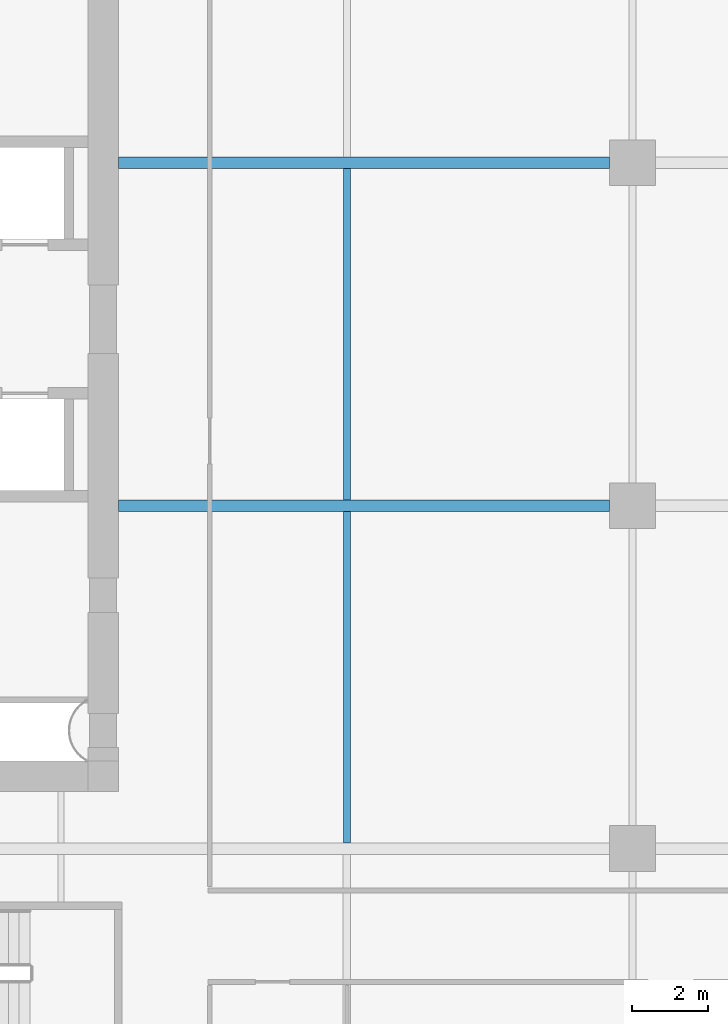
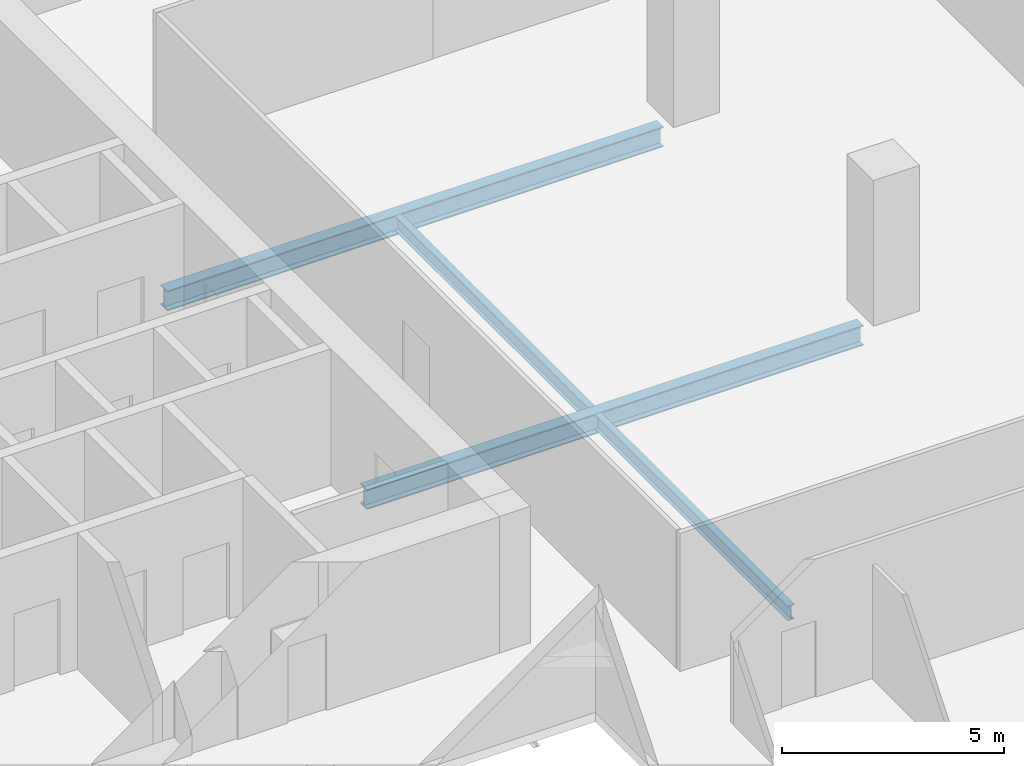
# One storey, part 8 of 35: 4 beams.
"""IFC4 building model written with IfcOpenShell, lengths in metres."""

import ifcopenshell
import ifcopenshell.guid

model = None  # the IFC model being written
_history = None  # IfcOwnerHistory: only IFC2X3 demands one
_inside = {}  # id of a spatial element -> (the spatial element, [elements in it])
_under = {}  # id of a project, library or spatial element -> (it, [spatial elements below it])
_declared = {}  # id of a project -> (the project, [libraries it declares])
_typed = {}  # id of a type object -> (the type object, [elements of that type])
_made_of = {}  # id of a material, layer set ... -> (it, [elements and type objects made of it])


def new_model(schema):
    """Start an empty IFC model of exactly this schema.

    Asked for "IFC4X3", IfcOpenShell would pick the latest addendum, in which some entities
    have other attributes; the version numbers below select the first issue.
    IFC2X3 requires an IfcOwnerHistory on every rooted entity: one is made here for all.
    """
    global model, _history
    if schema == "IFC4X3":
        model = ifcopenshell.file(schema_version=(4, 3, 0, 0))
    else:
        model = ifcopenshell.file(schema=schema)
    _inside.clear()
    _under.clear()
    _declared.clear()
    _typed.clear()
    _made_of.clear()
    _history = None
    if model.schema == "IFC2X3":
        org = make("IfcOrganization", Name="unknown")
        user = make(
            "IfcPersonAndOrganization",
            ThePerson=make("IfcPerson", FamilyName="unknown"),
            TheOrganization=org,
        )
        app = make(
            "IfcApplication",
            ApplicationDeveloper=org,
            Version="unknown",
            ApplicationFullName="unknown",
            ApplicationIdentifier="unknown",
        )
        _history = make(
            "IfcOwnerHistory",
            OwningUser=user,
            OwningApplication=app,
            ChangeAction="ADDED",
            CreationDate=0,
        )
    return model


def make(cls, **values):
    """One entity of the class cls with the attributes given. An attribute that is None is left unset."""
    return model.create_entity(
        cls, **{name: value for name, value in values.items() if value is not None}
    )


def rooted(cls, **values):
    """An entity with a GlobalId (a new one), such as an element, a storey or a relation."""
    return make(cls, GlobalId=ifcopenshell.guid.new(), OwnerHistory=_history, **values)


def si_unit(unit_type, name, prefix=None):
    """IfcSIUnit, for example si_unit("LENGTHUNIT", "METRE", prefix="MILLI")."""
    return make("IfcSIUnit", UnitType=unit_type, Prefix=prefix, Name=name)


def assignment(units):
    """IfcUnitAssignment: the units of a project."""
    return None if units is None else make("IfcUnitAssignment", Units=units)


def point(xyz):
    """IfcCartesianPoint."""
    return None if xyz is None else make("IfcCartesianPoint", Coordinates=xyz)


def direction(xyz):
    """IfcDirection."""
    return None if xyz is None else make("IfcDirection", DirectionRatios=xyz)


def frame(location, z_axis=None, x_axis=None):
    """IfcAxis2Placement3D, a coordinate frame: its origin and axes. An axis left out is left unset."""
    return make(
        "IfcAxis2Placement3D",
        Location=point(location),
        Axis=direction(z_axis),
        RefDirection=direction(x_axis),
    )


def frame_2d(location, x_axis=None):
    """IfcAxis2Placement2D, a coordinate frame in the plane: its origin and x axis."""
    return make(
        "IfcAxis2Placement2D", Location=point(location), RefDirection=direction(x_axis)
    )


def origin():
    """The frame at (0, 0, 0) with its axes left unset."""
    return frame((0.0, 0.0, 0.0))


def origin_2d():
    """The frame at (0, 0) in the plane with its x axis left unset."""
    return frame_2d((0.0, 0.0))


def place(relative_to, where):
    """IfcLocalPlacement: puts the frame where relative to a parent placement (None: the world)."""
    return make(
        "IfcLocalPlacement", PlacementRelTo=relative_to, RelativePlacement=where
    )


def context(
    kind, dimensions, precision=None, world=None, true_north=None, identifier=None
):
    """IfcGeometricRepresentationContext, for example the 3D "Model" context."""
    return make(
        "IfcGeometricRepresentationContext",
        ContextIdentifier=identifier,
        ContextType=kind,
        CoordinateSpaceDimension=dimensions,
        Precision=precision,
        WorldCoordinateSystem=world,
        TrueNorth=true_north,
    )


def subcontext(parent, identifier, kind, view, scale=None):
    """IfcGeometricRepresentationSubContext, for example "Body" below "Model"."""
    return make(
        "IfcGeometricRepresentationSubContext",
        ContextIdentifier=identifier,
        ContextType=kind,
        ParentContext=parent,
        TargetScale=scale,
        TargetView=view,
    )


def project(units=None, contexts=None):
    """IfcProject with its units and contexts."""
    return rooted(
        "IfcProject",
        Name="project",
        RepresentationContexts=contexts,
        UnitsInContext=assignment(units),
    )


def spatial(cls, under=None, at=None, **own):
    """A site, building, storey or space (cls), placed at a placement, below another one or the project."""
    s = rooted(cls, ObjectPlacement=at, **own)
    if under is not None:
        _under.setdefault(under.id(), (under, []))[1].append(s)
    return s


def profile(cls, at=None, kind="AREA", **sizes):
    """A parametric profile (cls). Its sizes go by their IFC names, for example OverallWidth=200.0."""
    return make(cls, ProfileType=kind, Position=at, **sizes)


def i_section(**sizes):
    """IfcIShapeProfileDef."""
    return profile("IfcIShapeProfileDef", **sizes)


def extrude(swept, where, along, depth):
    """IfcExtrudedAreaSolid: the profile swept, set in the frame where, extruded along a direction by depth."""
    return make(
        "IfcExtrudedAreaSolid",
        SweptArea=swept,
        Position=where,
        ExtrudedDirection=direction(along),
        Depth=depth,
    )


def shape(context_of_items, identifier, shape_type, items):
    """IfcShapeRepresentation: the items that make up one representation, for example the "Body"."""
    return make(
        "IfcShapeRepresentation",
        ContextOfItems=context_of_items,
        RepresentationIdentifier=identifier,
        RepresentationType=shape_type,
        Items=items,
    )


def source(mapping_origin, context_of_items, identifier, shape_type, items):
    """IfcRepresentationMap: a shape defined once, which mapped items show again and again."""
    return make(
        "IfcRepresentationMap",
        MappingOrigin=mapping_origin,
        MappedRepresentation=shape(context_of_items, identifier, shape_type, items),
    )


def transform(
    local_origin,
    x_axis=None,
    y_axis=None,
    z_axis=None,
    scale=None,
    scale2=None,
    scale3=None,
    uniform=True,
):
    """IfcCartesianTransformationOperator3D, or its non-uniform kind. x_axis, y_axis, z_axis: its Axis1, 2, 3."""
    if uniform:
        return make(
            "IfcCartesianTransformationOperator3D",
            Axis1=direction(x_axis),
            Axis2=direction(y_axis),
            LocalOrigin=point(local_origin),
            Scale=scale,
            Axis3=direction(z_axis),
        )
    return make(
        "IfcCartesianTransformationOperator3DnonUniform",
        Axis1=direction(x_axis),
        Axis2=direction(y_axis),
        LocalOrigin=point(local_origin),
        Scale=scale,
        Axis3=direction(z_axis),
        Scale2=scale2,
        Scale3=scale3,
    )


def mapped(mapping_source, mapping_target):
    """IfcMappedItem: shows the shape of a source again, moved by a transform."""
    return make(
        "IfcMappedItem", MappingSource=mapping_source, MappingTarget=mapping_target
    )


def material(Name=None, Category=None):
    """IfcMaterial."""
    return make("IfcMaterial", Name=Name, Category=Category)


def material_profile(
    of_material, cross_section, Name=None, Category=None, Priority=None
):
    """IfcMaterialProfile: a cross section and its material."""
    return make(
        "IfcMaterialProfile",
        Name=Name,
        Material=of_material,
        Profile=cross_section,
        Priority=Priority,
        Category=Category,
    )


def profile_set(profiles, Name=None, composite=None):
    """IfcMaterialProfileSet."""
    return make(
        "IfcMaterialProfileSet",
        Name=Name,
        MaterialProfiles=profiles,
        CompositeProfile=composite,
    )


def made_of(thing, what):
    """Note that an element or type object is made of a material, layer set ...; save() writes the relation."""
    if what is not None:
        _made_of.setdefault(what.id(), (what, []))[1].append(thing)
    return thing


def type_object(cls, material=None, **own):
    """A type object (cls), such as IfcWallType, which elements share."""
    return made_of(rooted(cls, **own), material)


def element(
    cls,
    number,
    at=None,
    inside=None,
    cuts=None,
    type_object=None,
    material=None,
    context=None,
    identifier="Body",
    shape_type=None,
    held_by="IfcProductDefinitionShape",
    body=None,
    shapes=None,
    **own,
):
    """One element of the class cls, such as IfcWall. Its Tag is "e" and its number.

    at: its placement. inside: the storey or other place that contains it. cuts: it is an
    opening in that element (IfcRelVoidsElement). A single representation is given by context,
    identifier, shape_type and body (its items); several are given by shapes. held_by: the class
    of the entity that holds the representations. save() writes the other relations.
    """
    e = rooted(cls, Tag="e%d" % number, ObjectPlacement=at, **own)
    if body is not None:
        shapes = [shape(context, identifier, shape_type, body)]
    if shapes is not None:
        e.Representation = make(held_by, Representations=shapes)
    if inside is not None:
        _inside.setdefault(inside.id(), (inside, []))[1].append(e)
    if cuts is not None:
        rooted(
            "IfcRelVoidsElement", RelatingBuildingElement=cuts, RelatedOpeningElement=e
        )
    if type_object is not None:
        _typed.setdefault(type_object.id(), (type_object, []))[1].append(e)
    return made_of(e, material)


def aggregate(whole, parts):
    """IfcRelAggregates: a whole, such as a stair, and the parts it consists of."""
    return rooted("IfcRelAggregates", RelatingObject=whole, RelatedObjects=parts)


def save(model, path):
    """Write the relations noted so far, then the file.

    IfcRelAggregates (storeys below a building ...), IfcRelContainedInSpatialStructure (elements
    in a storey), IfcRelDefinesByType, IfcRelAssociatesMaterial and IfcRelDeclares: one each for
    every whole, place, type object, material and project.
    """
    for whole, parts in _under.values():
        aggregate(whole, parts)
    for where, things in _inside.values():
        rooted(
            "IfcRelContainedInSpatialStructure",
            RelatedElements=things,
            RelatingStructure=where,
        )
    for kind, things in _typed.values():
        rooted("IfcRelDefinesByType", RelatedObjects=things, RelatingType=kind)
    for what, things in _made_of.values():
        rooted("IfcRelAssociatesMaterial", RelatedObjects=things, RelatingMaterial=what)
    for by, libraries in _declared.values():
        rooted("IfcRelDeclares", RelatingContext=by, RelatedDefinitions=libraries)
    model.write(path)


model = new_model("IFC4")

# Units and contexts
model_context = context("Model", 3, precision=1e-05, world=origin(), true_north=direction((0.0, 1.0)))
body_context = subcontext(model_context, "Body", "Model", "MODEL_VIEW")
ifc_project = project(units=[si_unit("LENGTHUNIT", "METRE"), si_unit("AREAUNIT", "SQUARE_METRE"), si_unit("VOLUMEUNIT", "CUBIC_METRE"), si_unit("PLANEANGLEUNIT", "RADIAN"), si_unit("MASSUNIT", "GRAM", prefix="KILO")], contexts=[model_context])

# Site, building, storey
site_placement = place(None, origin())
site = spatial("IfcSite", under=ifc_project, at=site_placement, CompositionType="ELEMENT")
building_placement = place(site_placement, origin())
building = spatial("IfcBuilding", under=site, at=building_placement, Name="Khomas Fold Tower", CompositionType="ELEMENT")
storey_placement = place(building_placement, frame((0.0, 0.0, 212.699951171875)))
storey = spatial("IfcBuildingStorey", under=building, at=storey_placement, Name="L47", CompositionType="ELEMENT", Elevation=212.699951171875)

# Beams
ifc_material_1 = material(Name="Steel S355", Category="steel")
ifc_material_profile_1 = material_profile(ifc_material_1, i_section(OverallWidth=0.179931640625, OverallDepth=0.39990234375, WebThickness=0.008544921875, FlangeThickness=0.013427734375, at=origin_2d()), Name="IPE 400")
ifc_profile_set_1 = profile_set([ifc_material_profile_1], Name="Steel S355")
beam_type_1 = type_object("IfcBeamType", Name="IPE 400 beam JB3", PredefinedType="BEAM", material=ifc_profile_set_1)
shared_shape_1 = source(origin(), body_context, "Body", "SweptSolid", [
    extrude(i_section(OverallWidth=0.179931640625, OverallDepth=0.39990234375, WebThickness=0.008544921875, FlangeThickness=0.013427734375, at=origin_2d()), origin(), (0.0, 0.0, 1.0), 8.7001953125),
])
for number, where, z_axis, x_axis, name in (
    (1, (27.0, 13.64990234375, -0.449951171875), (0.0, 1.0, 0.0), (-1.0, 0.0, 0.0), "JB3"),
    (2, (27.0, 22.64990234375, -0.449951171875), (0.0, 1.0, 0.0), (-1.0, 0.0, 0.0), "JB3"),
):
    element("IfcBeam", number, at=place(storey_placement, frame(where, z_axis=z_axis, x_axis=x_axis)), inside=storey, type_object=beam_type_1, Name=name, PredefinedType="BEAM", context=body_context, shape_type="MappedRepresentation", body=[
        mapped(shared_shape_1, transform((0.0, 0.0, 0.0))),
    ])
ifc_material_2 = material(Name="Steel S355", Category="steel")
ifc_material_profile_2 = material_profile(ifc_material_2, i_section(OverallWidth=0.300048828125, OverallDepth=0.550048828125, WebThickness=0.014892578125, FlangeThickness=0.029052734375, at=origin_2d()), Name="HE 550 B")
ifc_profile_set_2 = profile_set([ifc_material_profile_2], Name="Steel S355")
beam_type_2 = type_object("IfcBeamType", Name="HE 550 B beam GB4", PredefinedType="BEAM", material=ifc_profile_set_2)
shared_shape_2 = source(origin(), body_context, "Body", "SweptSolid", [
    extrude(i_section(OverallWidth=0.300048828125, OverallDepth=0.550048828125, WebThickness=0.014892578125, FlangeThickness=0.029052734375, at=origin_2d()), origin(), (0.0, 0.0, 1.0), 12.89990234375),
])
for number, where, z_axis, x_axis, name in (
    (3, (21.0, 22.5, -0.52490234375), (1.0, 0.0, 0.0), (0.0, 1.0, 0.0), "GB4"),
    (4, (21.0, 31.5, -0.52490234375), (1.0, 0.0, 0.0), (0.0, 1.0, 0.0), "GB4"),
):
    element("IfcBeam", number, at=place(storey_placement, frame(where, z_axis=z_axis, x_axis=x_axis)), inside=storey, type_object=beam_type_2, Name=name, PredefinedType="BEAM", context=body_context, shape_type="MappedRepresentation", body=[
        mapped(shared_shape_2, transform((0.0, 0.0, 0.0))),
    ])

save(model, "model.ifc")
